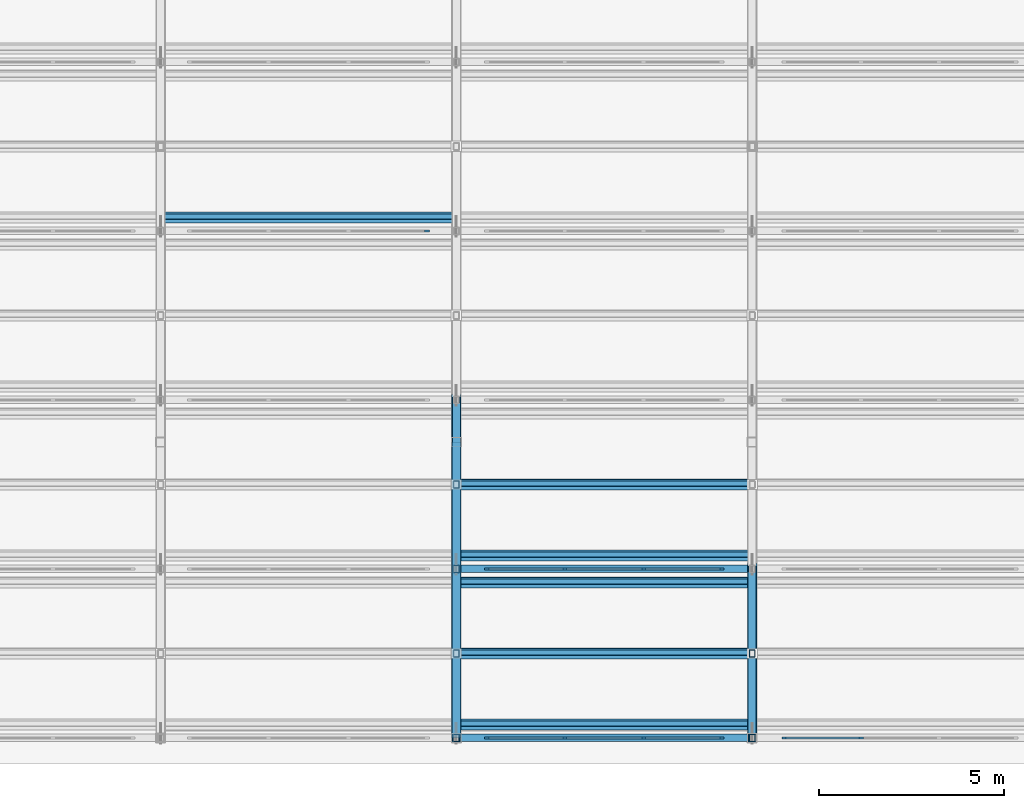
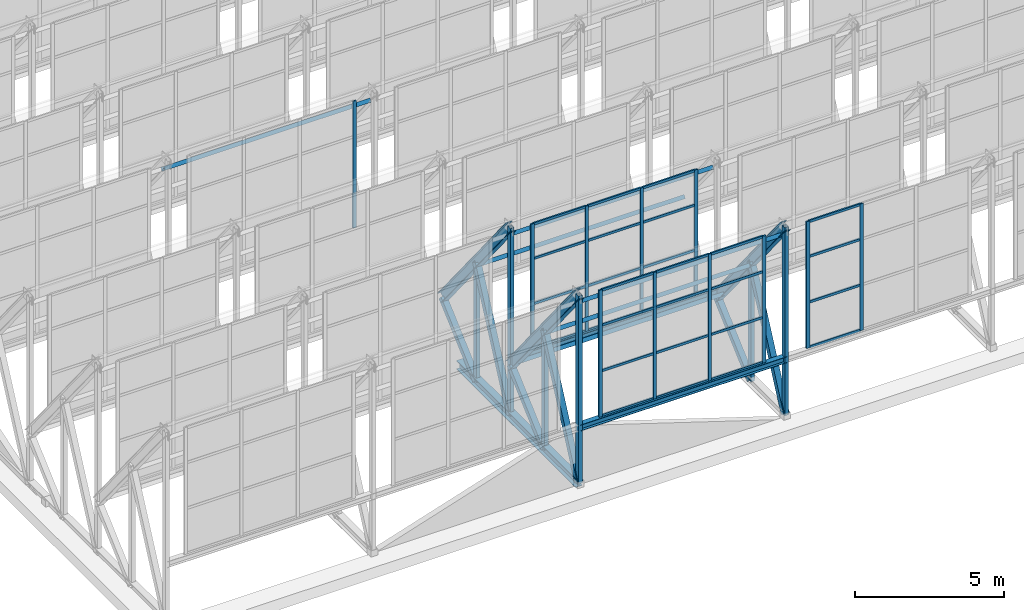
# One storey, part 9 of 34: 60 members, 3 beams, 4 elements without a shape of their own.
"""IFC4 building model written with IfcOpenShell, lengths in metres."""

from ifc_helpers import new_model, si_unit, direction, frame, origin, origin_2d, place, context, subcontext, project, spatial, rectangle, hollow_rectangle, i_section, extrude, material, layer, layer_set, material_profile, profile_set, type_object, element, aggregate, save


model = new_model("IFC4")

# Units and contexts
model_context = context("Model", 3, precision=1e-05, world=origin(), true_north=direction((0.0, 1.0)))
body_context = subcontext(model_context, "Body", "Model", "MODEL_VIEW")
ifc_project = project(units=[si_unit("LENGTHUNIT", "METRE"), si_unit("AREAUNIT", "SQUARE_METRE"), si_unit("VOLUMEUNIT", "CUBIC_METRE"), si_unit("PLANEANGLEUNIT", "RADIAN"), si_unit("MASSUNIT", "GRAM", prefix="KILO")], contexts=[model_context])

# Site, building, storey
site_placement = place(None, origin())
site = spatial("IfcSite", under=ifc_project, at=site_placement, CompositionType="ELEMENT")
building_placement = place(site_placement, origin())
building = spatial("IfcBuilding", under=site, at=building_placement, Name="Qorikala Patio Media Centre", CompositionType="ELEMENT")
storey_placement = place(building_placement, frame((0.0, 0.0, 32.699951171875)))
storey = spatial("IfcBuildingStorey", under=building, at=storey_placement, Name="RF", CompositionType="ELEMENT", Elevation=32.699951171875)

# Members
ifc_material_1 = material(Name="Steel S355", Category="steel")
ifc_material_profile_1 = material_profile(ifc_material_1, hollow_rectangle(XDim=0.219970703125, YDim=0.219970703125, WallThickness=0.010009765625, at=origin_2d()), Name="HSS220X220X10")
ifc_profile_set_1 = profile_set([ifc_material_profile_1], Name="Steel S355")
member_type_1 = type_object("IfcMemberType", Name="BRACE-HSS220", PredefinedType="BRACE", material=ifc_profile_set_1)
member_1_placement = place(storey_placement, frame((19.0, 3.0, 0.35009765625), z_axis=(0.0, 0.424508225487, 0.905424081022), x_axis=(-1.0, 0.0, 0.0)))
element("IfcMember", 1, at=member_1_placement, inside=storey, type_object=member_type_1, Name="SAW-V1 Truss 3 Bay 1 Web Diagonal 1", PredefinedType="BRACE", context=body_context, shape_type="SweptSolid", body=[
    extrude(hollow_rectangle(XDim=0.219970703125, YDim=0.219970703125, WallThickness=0.010009765625, at=origin_2d()), origin(), (0.0, 0.0, 1.0), 5.38427734375),
])
member_2_placement = place(storey_placement, frame((19.0, 5.28564453125, 0.35009765625), z_axis=(0.0, 0.744431778243, 0.667698530432), x_axis=(-1.0, 0.0, 0.0)))
element("IfcMember", 2, at=member_2_placement, inside=storey, type_object=member_type_1, Name="SAW-V1 Truss 3 Bay 1 Web Diagonal 2", PredefinedType="BRACE", context=body_context, shape_type="SweptSolid", body=[
    extrude(hollow_rectangle(XDim=0.219970703125, YDim=0.219970703125, WallThickness=0.010009765625, at=origin_2d()), origin(), (0.0, 0.0, 1.0), 3.0703125),
])
member_3_placement = place(storey_placement, frame((19.0, 7.5712890625, 0.35009765625), z_axis=(0.0, 0.424545396895, 0.90540665227), x_axis=(-1.0, 0.0, 0.0)))
element("IfcMember", 3, at=member_3_placement, inside=storey, type_object=member_type_1, Name="SAW-V1 Truss 3 Bay 2 Web Diagonal 1", PredefinedType="BRACE", context=body_context, shape_type="SweptSolid", body=[
    extrude(hollow_rectangle(XDim=0.219970703125, YDim=0.219970703125, WallThickness=0.010009765625, at=origin_2d()), origin(), (0.0, 0.0, 1.0), 5.38427734375),
])
member_4_placement = place(storey_placement, frame((19.0, 9.857177734375, 0.35009765625), z_axis=(0.0, 0.744431778243, 0.667698530432), x_axis=(-1.0, 0.0, 0.0)))
element("IfcMember", 4, at=member_4_placement, inside=storey, type_object=member_type_1, Name="SAW-V1 Truss 3 Bay 2 Web Diagonal 2", PredefinedType="BRACE", context=body_context, shape_type="SweptSolid", body=[
    extrude(hollow_rectangle(XDim=0.219970703125, YDim=0.219970703125, WallThickness=0.010009765625, at=origin_2d()), origin(), (0.0, 0.0, 1.0), 3.0703125),
])
member_5_placement = place(storey_placement, frame((27.0, 3.0, 0.35009765625), z_axis=(0.0, 0.424508225487, 0.905424081022), x_axis=(-1.0, 0.0, 0.0)))
element("IfcMember", 5, at=member_5_placement, inside=storey, type_object=member_type_1, Name="SAW-V1 Truss 4 Bay 1 Web Diagonal 1", PredefinedType="BRACE", context=body_context, shape_type="SweptSolid", body=[
    extrude(hollow_rectangle(XDim=0.219970703125, YDim=0.219970703125, WallThickness=0.010009765625, at=origin_2d()), origin(), (0.0, 0.0, 1.0), 5.38427734375),
])
member_6_placement = place(storey_placement, frame((27.0, 5.28564453125, 0.35009765625), z_axis=(0.0, 0.744431778243, 0.667698530432), x_axis=(-1.0, 0.0, 0.0)))
element("IfcMember", 6, at=member_6_placement, inside=storey, type_object=member_type_1, Name="SAW-V1 Truss 4 Bay 1 Web Diagonal 2", PredefinedType="BRACE", context=body_context, shape_type="SweptSolid", body=[
    extrude(hollow_rectangle(XDim=0.219970703125, YDim=0.219970703125, WallThickness=0.010009765625, at=origin_2d()), origin(), (0.0, 0.0, 1.0), 3.0703125),
])
ifc_material_profile_2 = material_profile(ifc_material_1, i_section(OverallWidth=0.257080078125, OverallDepth=0.363037109375, WebThickness=0.012939453125, FlangeThickness=0.021728515625, at=origin_2d()), Name="W360X122")
ifc_profile_set_2 = profile_set([ifc_material_profile_2], Name="Steel S355")
member_type_2 = type_object("IfcMemberType", Name="CHORD-W360X122", PredefinedType="CHORD", material=ifc_profile_set_2)
member_7_placement = place(storey_placement, frame((19.0, 3.0, 8.050048828125), z_axis=(0.0, 0.628995268707, -0.777409127773), x_axis=(-1.0, 0.0, 0.0)))
element("IfcMember", 7, at=member_7_placement, inside=storey, type_object=member_type_2, Name="SAW-V1 Truss 3 Bay 1 Sloped Top Chord", PredefinedType="CHORD", context=body_context, shape_type="SweptSolid", body=[
    extrude(i_section(OverallWidth=0.257080078125, OverallDepth=0.363037109375, WebThickness=0.012939453125, FlangeThickness=0.021728515625, at=origin_2d()), origin(), (0.0, 0.0, 1.0), 7.267578125),
])
member_8_placement = place(storey_placement, frame((19.0, 7.5712890625, 8.050048828125), z_axis=(0.0, 0.629015570493, -0.777392701327), x_axis=(-1.0, 0.0, 0.0)))
element("IfcMember", 8, at=member_8_placement, inside=storey, type_object=member_type_2, Name="SAW-V1 Truss 3 Bay 2 Sloped Top Chord", PredefinedType="CHORD", context=body_context, shape_type="SweptSolid", body=[
    extrude(i_section(OverallWidth=0.257080078125, OverallDepth=0.363037109375, WebThickness=0.012939453125, FlangeThickness=0.021728515625, at=origin_2d()), origin(), (0.0, 0.0, 1.0), 7.267822265625),
])
member_9_placement = place(storey_placement, frame((27.0, 3.0, 8.050048828125), z_axis=(0.0, 0.628995268707, -0.777409127773), x_axis=(-1.0, 0.0, 0.0)))
element("IfcMember", 9, at=member_9_placement, inside=storey, type_object=member_type_2, Name="SAW-V1 Truss 4 Bay 1 Sloped Top Chord", PredefinedType="CHORD", context=body_context, shape_type="SweptSolid", body=[
    extrude(i_section(OverallWidth=0.257080078125, OverallDepth=0.363037109375, WebThickness=0.012939453125, FlangeThickness=0.021728515625, at=origin_2d()), origin(), (0.0, 0.0, 1.0), 7.267578125),
])

# Curtain wall, members
ifc_material_2 = material(Name="Bronze Anodised Aluminium and Low-E Glass", Category="aluminium")
ifc_layer_1 = layer(ifc_material_2, 0.159912109375)
ifc_layer_set_1 = layer_set([ifc_layer_1], Name="Bronze Anodised Aluminium and Low-E Glass")
curtain_wall_type_1 = type_object("IfcCurtainWallType", Name="CW-SAW-640X520", PredefinedType="USERDEFINED", material=ifc_layer_set_1)
curtain_wall_1_placement = place(storey_placement, origin())
curtain_wall_1 = element("IfcCurtainWall", 10, at=curtain_wall_1_placement, inside=storey, type_object=curtain_wall_type_1, Name="RF Sawtooth Glazing 109", ObjectType="SAWTOOTH GLAZING", PredefinedType="USERDEFINED")
ifc_material_3 = material(Name="Bronze Anodised Aluminium", Category="aluminium")
ifc_material_profile_3 = material_profile(ifc_material_3, rectangle(XDim=0.06005859375, YDim=0.1298828125, at=origin_2d()), Name="ALU MULLION 60x130")
ifc_profile_set_3 = profile_set([ifc_material_profile_3], Name="Bronze Anodised Aluminium")
member_type_3 = type_object("IfcMemberType", Name="CWM-60X130", PredefinedType="MULLION", material=ifc_profile_set_3)
member_10_placement = place(storey_placement, frame((19.830078125, 3.0, 2.75), z_axis=(0.0, 0.0, 1.0), x_axis=(0.0, 1.0, 0.0)))
member_10 = element("IfcMember", 11, at=member_10_placement, type_object=member_type_3, Name="CWS640520 mullion 1", PredefinedType="MULLION", context=body_context, shape_type="SweptSolid", body=[
    extrude(rectangle(XDim=0.06005859375, YDim=0.1298828125, at=origin_2d()), origin(), (0.0, 0.0, 1.0), 5.199951171875),
])
member_11_placement = place(storey_placement, frame((21.933349609375, 3.0, 2.75), z_axis=(0.0, 0.0, 1.0), x_axis=(0.0, 1.0, 0.0)))
member_11 = element("IfcMember", 12, at=member_11_placement, type_object=member_type_3, Name="CWS640520 mullion 2", PredefinedType="MULLION", context=body_context, shape_type="SweptSolid", body=[
    extrude(rectangle(XDim=0.06005859375, YDim=0.1298828125, at=origin_2d()), origin(), (0.0, 0.0, 1.0), 5.199951171875),
])
member_12_placement = place(storey_placement, frame((24.066650390625, 3.0, 2.75), z_axis=(0.0, 0.0, 1.0), x_axis=(0.0, 1.0, 0.0)))
member_12 = element("IfcMember", 13, at=member_12_placement, type_object=member_type_3, Name="CWS640520 mullion 3", PredefinedType="MULLION", context=body_context, shape_type="SweptSolid", body=[
    extrude(rectangle(XDim=0.06005859375, YDim=0.1298828125, at=origin_2d()), origin(), (0.0, 0.0, 1.0), 5.199951171875),
])
member_13_placement = place(storey_placement, frame((26.169921875, 3.0, 2.75), z_axis=(0.0, 0.0, 1.0), x_axis=(0.0, 1.0, 0.0)))
member_13 = element("IfcMember", 14, at=member_13_placement, type_object=member_type_3, Name="CWS640520 mullion 4", PredefinedType="MULLION", context=body_context, shape_type="SweptSolid", body=[
    extrude(rectangle(XDim=0.06005859375, YDim=0.1298828125, at=origin_2d()), origin(), (0.0, 0.0, 1.0), 5.199951171875),
])

ifc_layer_2 = layer(ifc_material_2, 0.159912109375)
ifc_layer_set_2 = layer_set([ifc_layer_2], Name="Bronze Anodised Aluminium and Low-E Glass")
curtain_wall_type_2 = type_object("IfcCurtainWallType", Name="CW-SAW-632X520", PredefinedType="USERDEFINED", material=ifc_layer_set_2)
curtain_wall_2_placement = place(storey_placement, origin())
curtain_wall_2 = element("IfcCurtainWall", 15, at=curtain_wall_2_placement, inside=storey, type_object=curtain_wall_type_2, Name="RF Sawtooth Glazing 110", ObjectType="SAWTOOTH GLAZING", PredefinedType="USERDEFINED")
member_14_placement = place(storey_placement, frame((27.8701171875, 3.0, 2.75), z_axis=(0.0, 0.0, 1.0), x_axis=(0.0, 1.0, 0.0)))
member_14 = element("IfcMember", 16, at=member_14_placement, type_object=member_type_3, Name="CWS632520 mullion 1", PredefinedType="MULLION", context=body_context, shape_type="SweptSolid", body=[
    extrude(rectangle(XDim=0.06005859375, YDim=0.1298828125, at=origin_2d()), origin(), (0.0, 0.0, 1.0), 5.199951171875),
])
member_15_placement = place(storey_placement, frame((29.94677734375, 3.0, 2.75), z_axis=(0.0, 0.0, 1.0), x_axis=(0.0, 1.0, 0.0)))
member_15 = element("IfcMember", 17, at=member_15_placement, type_object=member_type_3, Name="CWS632520 mullion 2", PredefinedType="MULLION", context=body_context, shape_type="SweptSolid", body=[
    extrude(rectangle(XDim=0.06005859375, YDim=0.1298828125, at=origin_2d()), origin(), (0.0, 0.0, 1.0), 5.199951171875),
])

ifc_layer_3 = layer(ifc_material_2, 0.159912109375)
ifc_layer_set_3 = layer_set([ifc_layer_3], Name="Bronze Anodised Aluminium and Low-E Glass")
curtain_wall_type_3 = type_object("IfcCurtainWallType", Name="CW-SAW-640X514", PredefinedType="USERDEFINED", material=ifc_layer_set_3)
curtain_wall_3_placement = place(storey_placement, origin())
curtain_wall_3 = element("IfcCurtainWall", 18, at=curtain_wall_3_placement, inside=storey, type_object=curtain_wall_type_3, Name="RF Sawtooth Glazing 114", ObjectType="SAWTOOTH GLAZING", PredefinedType="USERDEFINED")
member_16_placement = place(storey_placement, frame((19.830078125, 7.5712890625, 2.75), z_axis=(0.0, 0.0, 1.0), x_axis=(0.0, 1.0, 0.0)))
member_16 = element("IfcMember", 19, at=member_16_placement, type_object=member_type_3, Name="CWS640514 mullion 1", PredefinedType="MULLION", context=body_context, shape_type="SweptSolid", body=[
    extrude(rectangle(XDim=0.06005859375, YDim=0.1298828125, at=origin_2d()), origin(), (0.0, 0.0, 1.0), 5.14013671875),
])
member_17_placement = place(storey_placement, frame((21.933349609375, 7.5712890625, 2.75), z_axis=(0.0, 0.0, 1.0), x_axis=(0.0, 1.0, 0.0)))
member_17 = element("IfcMember", 20, at=member_17_placement, type_object=member_type_3, Name="CWS640514 mullion 2", PredefinedType="MULLION", context=body_context, shape_type="SweptSolid", body=[
    extrude(rectangle(XDim=0.06005859375, YDim=0.1298828125, at=origin_2d()), origin(), (0.0, 0.0, 1.0), 5.14013671875),
])
member_18_placement = place(storey_placement, frame((24.066650390625, 7.5712890625, 2.75), z_axis=(0.0, 0.0, 1.0), x_axis=(0.0, 1.0, 0.0)))
member_18 = element("IfcMember", 21, at=member_18_placement, type_object=member_type_3, Name="CWS640514 mullion 3", PredefinedType="MULLION", context=body_context, shape_type="SweptSolid", body=[
    extrude(rectangle(XDim=0.06005859375, YDim=0.1298828125, at=origin_2d()), origin(), (0.0, 0.0, 1.0), 5.14013671875),
])
member_19_placement = place(storey_placement, frame((26.169921875, 7.5712890625, 2.75), z_axis=(0.0, 0.0, 1.0), x_axis=(0.0, 1.0, 0.0)))
member_19 = element("IfcMember", 22, at=member_19_placement, type_object=member_type_3, Name="CWS640514 mullion 4", PredefinedType="MULLION", context=body_context, shape_type="SweptSolid", body=[
    extrude(rectangle(XDim=0.06005859375, YDim=0.1298828125, at=origin_2d()), origin(), (0.0, 0.0, 1.0), 5.14013671875),
])

# Curtain wall, member
ifc_layer_4 = layer(ifc_material_2, 0.159912109375)
ifc_layer_set_4 = layer_set([ifc_layer_4], Name="Bronze Anodised Aluminium and Low-E Glass")
curtain_wall_type_4 = type_object("IfcCurtainWallType", Name="CW-SAW-648X520", PredefinedType="USERDEFINED", material=ifc_layer_set_4)
curtain_wall_4_placement = place(storey_placement, origin())
curtain_wall_4 = element("IfcCurtainWall", 23, at=curtain_wall_4_placement, inside=storey, type_object=curtain_wall_type_4, Name="RF Sawtooth Glazing 123", ObjectType="SAWTOOTH GLAZING", PredefinedType="USERDEFINED")
member_20_placement = place(storey_placement, frame((18.2099609375, 16.71435546875, 2.75), z_axis=(0.0, 0.0, 1.0), x_axis=(0.0, 1.0, 0.0)))
member_20 = element("IfcMember", 24, at=member_20_placement, type_object=member_type_3, Name="CWS648520 mullion 4", PredefinedType="MULLION", context=body_context, shape_type="SweptSolid", body=[
    extrude(rectangle(XDim=0.06005859375, YDim=0.1298828125, at=origin_2d()), origin(), (0.0, 0.0, 1.0), 5.199951171875),
])
aggregate(curtain_wall_4, [member_20])

# Member
ifc_material_profile_4 = material_profile(ifc_material_3, rectangle(XDim=0.06005859375, YDim=0.10009765625, at=origin_2d()), Name="ALU TRANSOM 60x100")
ifc_profile_set_4 = profile_set([ifc_material_profile_4], Name="Bronze Anodised Aluminium")
member_type_4 = type_object("IfcMemberType", Name="CWT-60X100", PredefinedType="USERDEFINED", material=ifc_profile_set_4)
member_21_placement = place(storey_placement, frame((19.860107421875, 3.0, 2.780029296875), z_axis=(1.0, 0.0, 0.0), x_axis=(0.0, 1.0, 0.0)))
member_21 = element("IfcMember", 25, at=member_21_placement, type_object=member_type_4, Name="CWS640520 transom 1.1", ObjectType="TRANSOM", PredefinedType="USERDEFINED", context=body_context, shape_type="SweptSolid", body=[
    extrude(rectangle(XDim=0.06005859375, YDim=0.10009765625, at=origin_2d()), origin(), (0.0, 0.0, 1.0), 2.043212890625),
])

member_22_placement = place(storey_placement, frame((19.860107421875, 3.0, 4.6220703125), z_axis=(1.0, 0.0, 0.0), x_axis=(0.0, 1.0, 0.0)))
member_22 = element("IfcMember", 26, at=member_22_placement, type_object=member_type_4, Name="CWS640520 transom 1.2", ObjectType="TRANSOM", PredefinedType="USERDEFINED", context=body_context, shape_type="SweptSolid", body=[
    extrude(rectangle(XDim=0.06005859375, YDim=0.10009765625, at=origin_2d()), origin(), (0.0, 0.0, 1.0), 2.043212890625),
])

member_23_placement = place(storey_placement, frame((19.860107421875, 3.0, 6.494140625), z_axis=(1.0, 0.0, 0.0), x_axis=(0.0, 1.0, 0.0)))
member_23 = element("IfcMember", 27, at=member_23_placement, type_object=member_type_4, Name="CWS640520 transom 1.3", ObjectType="TRANSOM", PredefinedType="USERDEFINED", context=body_context, shape_type="SweptSolid", body=[
    extrude(rectangle(XDim=0.06005859375, YDim=0.10009765625, at=origin_2d()), origin(), (0.0, 0.0, 1.0), 2.043212890625),
])

member_24_placement = place(storey_placement, frame((19.860107421875, 3.0, 7.920166015625), z_axis=(1.0, 0.0, 0.0), x_axis=(0.0, 1.0, 0.0)))
member_24 = element("IfcMember", 28, at=member_24_placement, type_object=member_type_4, Name="CWS640520 transom 1.4", ObjectType="TRANSOM", PredefinedType="USERDEFINED", context=body_context, shape_type="SweptSolid", body=[
    extrude(rectangle(XDim=0.06005859375, YDim=0.10009765625, at=origin_2d()), origin(), (0.0, 0.0, 1.0), 2.043212890625),
])

member_25_placement = place(storey_placement, frame((21.96337890625, 3.0, 2.780029296875), z_axis=(1.0, 0.0, 0.0), x_axis=(0.0, 1.0, 0.0)))
member_25 = element("IfcMember", 29, at=member_25_placement, type_object=member_type_4, Name="CWS640520 transom 2.1", ObjectType="TRANSOM", PredefinedType="USERDEFINED", context=body_context, shape_type="SweptSolid", body=[
    extrude(rectangle(XDim=0.06005859375, YDim=0.10009765625, at=origin_2d()), origin(), (0.0, 0.0, 1.0), 2.0732421875),
])

member_26_placement = place(storey_placement, frame((21.96337890625, 3.0, 4.6220703125), z_axis=(1.0, 0.0, 0.0), x_axis=(0.0, 1.0, 0.0)))
member_26 = element("IfcMember", 30, at=member_26_placement, type_object=member_type_4, Name="CWS640520 transom 2.2", ObjectType="TRANSOM", PredefinedType="USERDEFINED", context=body_context, shape_type="SweptSolid", body=[
    extrude(rectangle(XDim=0.06005859375, YDim=0.10009765625, at=origin_2d()), origin(), (0.0, 0.0, 1.0), 2.0732421875),
])

member_27_placement = place(storey_placement, frame((21.96337890625, 3.0, 6.494140625), z_axis=(1.0, 0.0, 0.0), x_axis=(0.0, 1.0, 0.0)))
member_27 = element("IfcMember", 31, at=member_27_placement, type_object=member_type_4, Name="CWS640520 transom 2.3", ObjectType="TRANSOM", PredefinedType="USERDEFINED", context=body_context, shape_type="SweptSolid", body=[
    extrude(rectangle(XDim=0.06005859375, YDim=0.10009765625, at=origin_2d()), origin(), (0.0, 0.0, 1.0), 2.0732421875),
])

member_28_placement = place(storey_placement, frame((21.96337890625, 3.0, 7.920166015625), z_axis=(1.0, 0.0, 0.0), x_axis=(0.0, 1.0, 0.0)))
member_28 = element("IfcMember", 32, at=member_28_placement, type_object=member_type_4, Name="CWS640520 transom 2.4", ObjectType="TRANSOM", PredefinedType="USERDEFINED", context=body_context, shape_type="SweptSolid", body=[
    extrude(rectangle(XDim=0.06005859375, YDim=0.10009765625, at=origin_2d()), origin(), (0.0, 0.0, 1.0), 2.0732421875),
])

member_29_placement = place(storey_placement, frame((24.0966796875, 3.0, 2.780029296875), z_axis=(1.0, 0.0, 0.0), x_axis=(0.0, 1.0, 0.0)))
member_29 = element("IfcMember", 33, at=member_29_placement, type_object=member_type_4, Name="CWS640520 transom 3.1", ObjectType="TRANSOM", PredefinedType="USERDEFINED", context=body_context, shape_type="SweptSolid", body=[
    extrude(rectangle(XDim=0.06005859375, YDim=0.10009765625, at=origin_2d()), origin(), (0.0, 0.0, 1.0), 2.043212890625),
])

member_30_placement = place(storey_placement, frame((24.0966796875, 3.0, 4.6220703125), z_axis=(1.0, 0.0, 0.0), x_axis=(0.0, 1.0, 0.0)))
member_30 = element("IfcMember", 34, at=member_30_placement, type_object=member_type_4, Name="CWS640520 transom 3.2", ObjectType="TRANSOM", PredefinedType="USERDEFINED", context=body_context, shape_type="SweptSolid", body=[
    extrude(rectangle(XDim=0.06005859375, YDim=0.10009765625, at=origin_2d()), origin(), (0.0, 0.0, 1.0), 2.043212890625),
])

member_31_placement = place(storey_placement, frame((24.0966796875, 3.0, 6.494140625), z_axis=(1.0, 0.0, 0.0), x_axis=(0.0, 1.0, 0.0)))
member_31 = element("IfcMember", 35, at=member_31_placement, type_object=member_type_4, Name="CWS640520 transom 3.3", ObjectType="TRANSOM", PredefinedType="USERDEFINED", context=body_context, shape_type="SweptSolid", body=[
    extrude(rectangle(XDim=0.06005859375, YDim=0.10009765625, at=origin_2d()), origin(), (0.0, 0.0, 1.0), 2.043212890625),
])

member_32_placement = place(storey_placement, frame((24.0966796875, 3.0, 7.920166015625), z_axis=(1.0, 0.0, 0.0), x_axis=(0.0, 1.0, 0.0)))
member_32 = element("IfcMember", 36, at=member_32_placement, type_object=member_type_4, Name="CWS640520 transom 3.4", ObjectType="TRANSOM", PredefinedType="USERDEFINED", context=body_context, shape_type="SweptSolid", body=[
    extrude(rectangle(XDim=0.06005859375, YDim=0.10009765625, at=origin_2d()), origin(), (0.0, 0.0, 1.0), 2.043212890625),
])

aggregate(curtain_wall_1, [member_10, member_11, member_12, member_13, member_21, member_22, member_23, member_24, member_25, member_26, member_27, member_28, member_29, member_30, member_31, member_32])

member_33_placement = place(storey_placement, frame((27.89990234375, 3.0, 2.780029296875), z_axis=(1.0, 0.0, 0.0), x_axis=(0.0, 1.0, 0.0)))
member_33 = element("IfcMember", 37, at=member_33_placement, type_object=member_type_4, Name="CWS632520 transom 1.1", ObjectType="TRANSOM", PredefinedType="USERDEFINED", context=body_context, shape_type="SweptSolid", body=[
    extrude(rectangle(XDim=0.06005859375, YDim=0.10009765625, at=origin_2d()), origin(), (0.0, 0.0, 1.0), 2.016845703125),
])

member_34_placement = place(storey_placement, frame((27.89990234375, 3.0, 4.6220703125), z_axis=(1.0, 0.0, 0.0), x_axis=(0.0, 1.0, 0.0)))
member_34 = element("IfcMember", 38, at=member_34_placement, type_object=member_type_4, Name="CWS632520 transom 1.2", ObjectType="TRANSOM", PredefinedType="USERDEFINED", context=body_context, shape_type="SweptSolid", body=[
    extrude(rectangle(XDim=0.06005859375, YDim=0.10009765625, at=origin_2d()), origin(), (0.0, 0.0, 1.0), 2.016845703125),
])

member_35_placement = place(storey_placement, frame((27.89990234375, 3.0, 6.494140625), z_axis=(1.0, 0.0, 0.0), x_axis=(0.0, 1.0, 0.0)))
member_35 = element("IfcMember", 39, at=member_35_placement, type_object=member_type_4, Name="CWS632520 transom 1.3", ObjectType="TRANSOM", PredefinedType="USERDEFINED", context=body_context, shape_type="SweptSolid", body=[
    extrude(rectangle(XDim=0.06005859375, YDim=0.10009765625, at=origin_2d()), origin(), (0.0, 0.0, 1.0), 2.016845703125),
])

member_36_placement = place(storey_placement, frame((27.89990234375, 3.0, 7.920166015625), z_axis=(1.0, 0.0, 0.0), x_axis=(0.0, 1.0, 0.0)))
member_36 = element("IfcMember", 40, at=member_36_placement, type_object=member_type_4, Name="CWS632520 transom 1.4", ObjectType="TRANSOM", PredefinedType="USERDEFINED", context=body_context, shape_type="SweptSolid", body=[
    extrude(rectangle(XDim=0.06005859375, YDim=0.10009765625, at=origin_2d()), origin(), (0.0, 0.0, 1.0), 2.016845703125),
])

aggregate(curtain_wall_2, [member_14, member_15, member_33, member_34, member_35, member_36])

member_37_placement = place(storey_placement, frame((19.860107421875, 7.5712890625, 2.780029296875), z_axis=(1.0, 0.0, 0.0), x_axis=(0.0, 1.0, 0.0)))
member_37 = element("IfcMember", 41, at=member_37_placement, type_object=member_type_4, Name="CWS640514 transom 1.1", ObjectType="TRANSOM", PredefinedType="USERDEFINED", context=body_context, shape_type="SweptSolid", body=[
    extrude(rectangle(XDim=0.06005859375, YDim=0.10009765625, at=origin_2d()), origin(), (0.0, 0.0, 1.0), 2.043212890625),
])

member_38_placement = place(storey_placement, frame((19.860107421875, 7.5712890625, 4.600341796875), z_axis=(1.0, 0.0, 0.0), x_axis=(0.0, 1.0, 0.0)))
member_38 = element("IfcMember", 42, at=member_38_placement, type_object=member_type_4, Name="CWS640514 transom 1.2", ObjectType="TRANSOM", PredefinedType="USERDEFINED", context=body_context, shape_type="SweptSolid", body=[
    extrude(rectangle(XDim=0.06005859375, YDim=0.10009765625, at=origin_2d()), origin(), (0.0, 0.0, 1.0), 2.043212890625),
])

member_39_placement = place(storey_placement, frame((19.860107421875, 7.5712890625, 6.450927734375), z_axis=(1.0, 0.0, 0.0), x_axis=(0.0, 1.0, 0.0)))
member_39 = element("IfcMember", 43, at=member_39_placement, type_object=member_type_4, Name="CWS640514 transom 1.3", ObjectType="TRANSOM", PredefinedType="USERDEFINED", context=body_context, shape_type="SweptSolid", body=[
    extrude(rectangle(XDim=0.06005859375, YDim=0.10009765625, at=origin_2d()), origin(), (0.0, 0.0, 1.0), 2.043212890625),
])

member_40_placement = place(storey_placement, frame((19.860107421875, 7.5712890625, 7.860107421875), z_axis=(1.0, 0.0, 0.0), x_axis=(0.0, 1.0, 0.0)))
member_40 = element("IfcMember", 44, at=member_40_placement, type_object=member_type_4, Name="CWS640514 transom 1.4", ObjectType="TRANSOM", PredefinedType="USERDEFINED", context=body_context, shape_type="SweptSolid", body=[
    extrude(rectangle(XDim=0.06005859375, YDim=0.10009765625, at=origin_2d()), origin(), (0.0, 0.0, 1.0), 2.043212890625),
])

member_41_placement = place(storey_placement, frame((21.96337890625, 7.5712890625, 2.780029296875), z_axis=(1.0, 0.0, 0.0), x_axis=(0.0, 1.0, 0.0)))
member_41 = element("IfcMember", 45, at=member_41_placement, type_object=member_type_4, Name="CWS640514 transom 2.1", ObjectType="TRANSOM", PredefinedType="USERDEFINED", context=body_context, shape_type="SweptSolid", body=[
    extrude(rectangle(XDim=0.06005859375, YDim=0.10009765625, at=origin_2d()), origin(), (0.0, 0.0, 1.0), 2.0732421875),
])

member_42_placement = place(storey_placement, frame((21.96337890625, 7.5712890625, 4.600341796875), z_axis=(1.0, 0.0, 0.0), x_axis=(0.0, 1.0, 0.0)))
member_42 = element("IfcMember", 46, at=member_42_placement, type_object=member_type_4, Name="CWS640514 transom 2.2", ObjectType="TRANSOM", PredefinedType="USERDEFINED", context=body_context, shape_type="SweptSolid", body=[
    extrude(rectangle(XDim=0.06005859375, YDim=0.10009765625, at=origin_2d()), origin(), (0.0, 0.0, 1.0), 2.0732421875),
])

member_43_placement = place(storey_placement, frame((21.96337890625, 7.5712890625, 6.450927734375), z_axis=(1.0, 0.0, 0.0), x_axis=(0.0, 1.0, 0.0)))
member_43 = element("IfcMember", 47, at=member_43_placement, type_object=member_type_4, Name="CWS640514 transom 2.3", ObjectType="TRANSOM", PredefinedType="USERDEFINED", context=body_context, shape_type="SweptSolid", body=[
    extrude(rectangle(XDim=0.06005859375, YDim=0.10009765625, at=origin_2d()), origin(), (0.0, 0.0, 1.0), 2.0732421875),
])

member_44_placement = place(storey_placement, frame((21.96337890625, 7.5712890625, 7.860107421875), z_axis=(1.0, 0.0, 0.0), x_axis=(0.0, 1.0, 0.0)))
member_44 = element("IfcMember", 48, at=member_44_placement, type_object=member_type_4, Name="CWS640514 transom 2.4", ObjectType="TRANSOM", PredefinedType="USERDEFINED", context=body_context, shape_type="SweptSolid", body=[
    extrude(rectangle(XDim=0.06005859375, YDim=0.10009765625, at=origin_2d()), origin(), (0.0, 0.0, 1.0), 2.0732421875),
])

member_45_placement = place(storey_placement, frame((24.0966796875, 7.5712890625, 2.780029296875), z_axis=(1.0, 0.0, 0.0), x_axis=(0.0, 1.0, 0.0)))
member_45 = element("IfcMember", 49, at=member_45_placement, type_object=member_type_4, Name="CWS640514 transom 3.1", ObjectType="TRANSOM", PredefinedType="USERDEFINED", context=body_context, shape_type="SweptSolid", body=[
    extrude(rectangle(XDim=0.06005859375, YDim=0.10009765625, at=origin_2d()), origin(), (0.0, 0.0, 1.0), 2.043212890625),
])

member_46_placement = place(storey_placement, frame((24.0966796875, 7.5712890625, 4.600341796875), z_axis=(1.0, 0.0, 0.0), x_axis=(0.0, 1.0, 0.0)))
member_46 = element("IfcMember", 50, at=member_46_placement, type_object=member_type_4, Name="CWS640514 transom 3.2", ObjectType="TRANSOM", PredefinedType="USERDEFINED", context=body_context, shape_type="SweptSolid", body=[
    extrude(rectangle(XDim=0.06005859375, YDim=0.10009765625, at=origin_2d()), origin(), (0.0, 0.0, 1.0), 2.043212890625),
])

member_47_placement = place(storey_placement, frame((24.0966796875, 7.5712890625, 6.450927734375), z_axis=(1.0, 0.0, 0.0), x_axis=(0.0, 1.0, 0.0)))
member_47 = element("IfcMember", 51, at=member_47_placement, type_object=member_type_4, Name="CWS640514 transom 3.3", ObjectType="TRANSOM", PredefinedType="USERDEFINED", context=body_context, shape_type="SweptSolid", body=[
    extrude(rectangle(XDim=0.06005859375, YDim=0.10009765625, at=origin_2d()), origin(), (0.0, 0.0, 1.0), 2.043212890625),
])

member_48_placement = place(storey_placement, frame((24.0966796875, 7.5712890625, 7.860107421875), z_axis=(1.0, 0.0, 0.0), x_axis=(0.0, 1.0, 0.0)))
member_48 = element("IfcMember", 52, at=member_48_placement, type_object=member_type_4, Name="CWS640514 transom 3.4", ObjectType="TRANSOM", PredefinedType="USERDEFINED", context=body_context, shape_type="SweptSolid", body=[
    extrude(rectangle(XDim=0.06005859375, YDim=0.10009765625, at=origin_2d()), origin(), (0.0, 0.0, 1.0), 2.043212890625),
])

aggregate(curtain_wall_3, [member_16, member_17, member_18, member_19, member_37, member_38, member_39, member_40, member_41, member_42, member_43, member_44, member_45, member_46, member_47, member_48])

# Members
ifc_material_profile_5 = material_profile(ifc_material_1, i_section(OverallWidth=0.14794921875, OverallDepth=0.26611328125, WebThickness=0.007568359375, FlangeThickness=0.012939453125, at=origin_2d()), Name="W250X45")
ifc_profile_set_5 = profile_set([ifc_material_profile_5], Name="Steel S355")
member_type_5 = type_object("IfcMemberType", Name="PURLIN-W250X45", PredefinedType="PURLIN", material=ifc_profile_set_5)
for number, where, z_axis, x_axis, name in (
    (53, (19.0, 3.36572265625, 7.450439453125), (1.0, 0.0, 0.0), (0.0, 0.62899480571, 0.777409502379), "SAW-V1 Bay 1 Roof Purlin"),
    (54, (19.0, 5.28564453125, 5.077392578125), (1.0, 0.0, 0.0), (0.0, 0.62899480571, 0.777409502379), "SAW-V1 Bay 1 Roof Purlin"),
    (55, (19.0, 7.205810546875, 2.704345703125), (1.0, 0.0, 0.0), (0.0, 0.62899480571, 0.777409502379), "SAW-V1 Bay 1 Roof Purlin"),
    (56, (19.0, 7.93701171875, 7.450439453125), (1.0, 0.0, 0.0), (0.0, 0.62899480571, 0.777409502379), "SAW-V1 Bay 2 Roof Purlin"),
    (57, (19.0, 9.857177734375, 5.077392578125), (1.0, 0.0, 0.0), (0.0, 0.62899480571, 0.777409502379), "SAW-V1 Bay 2 Roof Purlin"),
    (58, (11.0, 17.080078125, 7.450439453125), (1.0, 0.0, 0.0), (0.0, 0.62899480571, 0.777409502379), "SAW-V1 Bay 4 Roof Purlin"),
):
    element("IfcMember", number, at=place(storey_placement, frame(where, z_axis=z_axis, x_axis=x_axis)), inside=storey, type_object=member_type_5, Name=name, PredefinedType="PURLIN", context=body_context, shape_type="SweptSolid", body=[
        extrude(i_section(OverallWidth=0.14794921875, OverallDepth=0.26611328125, WebThickness=0.007568359375, FlangeThickness=0.012939453125, at=origin_2d()), origin(), (0.0, 0.0, 1.0), 8.0),
    ])

# Beams
ifc_material_profile_6 = material_profile(ifc_material_1, i_section(OverallWidth=0.202880859375, OverallDepth=0.251953125, WebThickness=0.008056640625, FlangeThickness=0.013427734375, at=origin_2d()), Name="W250X58")
ifc_profile_set_6 = profile_set([ifc_material_profile_6], Name="Steel S355")
beam_type_1 = type_object("IfcBeamType", Name="SBM-W250X58", PredefinedType="BEAM", material=ifc_profile_set_6)
for number, where, z_axis, x_axis, name in (
    (59, (19.0, 3.0, 2.625), (1.0, 0.0, 0.0), (0.0, 1.0, 0.0), "Sawtooth V1 Clerestory Sill Beam 1.3"),
    (60, (19.0, 7.5712890625, 2.625), (1.0, 0.0, 0.0), (0.0, 1.0, 0.0), "Sawtooth V1 Clerestory Sill Beam 2.3"),
):
    element("IfcBeam", number, at=place(storey_placement, frame(where, z_axis=z_axis, x_axis=x_axis)), inside=storey, type_object=beam_type_1, Name=name, PredefinedType="BEAM", context=body_context, shape_type="SweptSolid", body=[
        extrude(i_section(OverallWidth=0.202880859375, OverallDepth=0.251953125, WebThickness=0.008056640625, FlangeThickness=0.013427734375, at=origin_2d()), origin(), (0.0, 0.0, 1.0), 8.0),
    ])
ifc_material_profile_7 = material_profile(ifc_material_1, i_section(OverallWidth=0.257080078125, OverallDepth=0.363037109375, WebThickness=0.012939453125, FlangeThickness=0.021728515625, at=origin_2d()), Name="W360X122")
ifc_profile_set_7 = profile_set([ifc_material_profile_7], Name="Steel S355")
beam_type_2 = type_object("IfcBeamType", Name="SBM-W360X122", PredefinedType="BEAM", material=ifc_profile_set_7)
beam_placement = place(storey_placement, frame((19.0, 3.0, 0.35009765625), z_axis=(0.0, 1.0, 0.0), x_axis=(-1.0, 0.0, 0.0)))
element("IfcBeam", 61, at=beam_placement, inside=storey, type_object=beam_type_2, Name="SAW-V1 Longitudinal Truss Tie Girder X=19", PredefinedType="BEAM", context=body_context, shape_type="SweptSolid", body=[
    extrude(i_section(OverallWidth=0.257080078125, OverallDepth=0.363037109375, WebThickness=0.012939453125, FlangeThickness=0.021728515625, at=origin_2d()), origin(), (0.0, 0.0, 1.0), 8.0),
])

# Members
ifc_material_profile_8 = material_profile(ifc_material_1, hollow_rectangle(XDim=0.14990234375, YDim=0.199951171875, WallThickness=0.008056640625, at=origin_2d()), Name="HSS200X150X8")
ifc_profile_set_8 = profile_set([ifc_material_profile_8], Name="Steel S355")
member_type_6 = type_object("IfcMemberType", Name="STRUT-HSS200", PredefinedType="STRUT", material=ifc_profile_set_8)
member_49_placement = place(storey_placement, frame((19.0, 3.0, 0.35009765625), z_axis=(0.0, 0.0, 1.0), x_axis=(1.0, 0.0, 0.0)))
element("IfcMember", 62, at=member_49_placement, inside=storey, type_object=member_type_6, Name="SAW-V1 Truss 3 Bay 1 Clerestory Post", PredefinedType="STRUT", context=body_context, shape_type="SweptSolid", body=[
    extrude(hollow_rectangle(XDim=0.14990234375, YDim=0.199951171875, WallThickness=0.008056640625, at=origin_2d()), origin(), (0.0, 0.0, 1.0), 7.699951171875),
])
member_50_placement = place(storey_placement, frame((19.0, 5.28564453125, 0.35009765625), z_axis=(0.0, 0.0, 1.0), x_axis=(1.0, 0.0, 0.0)))
element("IfcMember", 63, at=member_50_placement, inside=storey, type_object=member_type_6, Name="SAW-V1 Truss 3 Bay 1 Mid Strut", PredefinedType="STRUT", context=body_context, shape_type="SweptSolid", body=[
    extrude(hollow_rectangle(XDim=0.14990234375, YDim=0.199951171875, WallThickness=0.008056640625, at=origin_2d()), origin(), (0.0, 0.0, 1.0), 4.875),
])
member_51_placement = place(storey_placement, frame((19.0, 7.5712890625, 0.35009765625), z_axis=(0.0, 0.0, 1.0), x_axis=(1.0, 0.0, 0.0)))
element("IfcMember", 64, at=member_51_placement, inside=storey, type_object=member_type_6, Name="SAW-V1 Truss 3 Bay 2 Clerestory Post", PredefinedType="STRUT", context=body_context, shape_type="SweptSolid", body=[
    extrude(hollow_rectangle(XDim=0.14990234375, YDim=0.199951171875, WallThickness=0.008056640625, at=origin_2d()), origin(), (0.0, 0.0, 1.0), 7.699951171875),
])
member_52_placement = place(storey_placement, frame((19.0, 9.857177734375, 0.35009765625), z_axis=(0.0, 0.0, 1.0), x_axis=(1.0, 0.0, 0.0)))
element("IfcMember", 65, at=member_52_placement, inside=storey, type_object=member_type_6, Name="SAW-V1 Truss 3 Bay 2 Mid Strut", PredefinedType="STRUT", context=body_context, shape_type="SweptSolid", body=[
    extrude(hollow_rectangle(XDim=0.14990234375, YDim=0.199951171875, WallThickness=0.008056640625, at=origin_2d()), origin(), (0.0, 0.0, 1.0), 4.875),
])
member_53_placement = place(storey_placement, frame((27.0, 3.0, 0.35009765625), z_axis=(0.0, 0.0, 1.0), x_axis=(1.0, 0.0, 0.0)))
element("IfcMember", 66, at=member_53_placement, inside=storey, type_object=member_type_6, Name="SAW-V1 Truss 4 Bay 1 Clerestory Post", PredefinedType="STRUT", context=body_context, shape_type="SweptSolid", body=[
    extrude(hollow_rectangle(XDim=0.14990234375, YDim=0.199951171875, WallThickness=0.008056640625, at=origin_2d()), origin(), (0.0, 0.0, 1.0), 7.699951171875),
])
member_54_placement = place(storey_placement, frame((27.0, 5.28564453125, 0.35009765625), z_axis=(0.0, 0.0, 1.0), x_axis=(1.0, 0.0, 0.0)))
element("IfcMember", 67, at=member_54_placement, inside=storey, type_object=member_type_6, Name="SAW-V1 Truss 4 Bay 1 Mid Strut", PredefinedType="STRUT", context=body_context, shape_type="SweptSolid", body=[
    extrude(hollow_rectangle(XDim=0.14990234375, YDim=0.199951171875, WallThickness=0.008056640625, at=origin_2d()), origin(), (0.0, 0.0, 1.0), 4.875),
])

save(model, "model.ifc")
